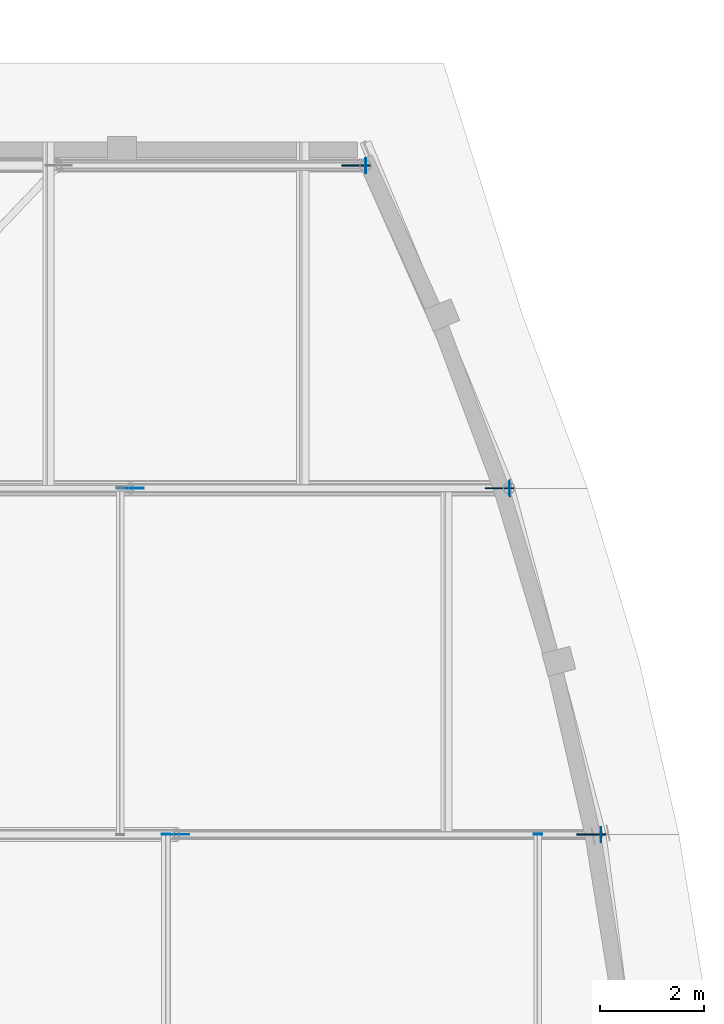
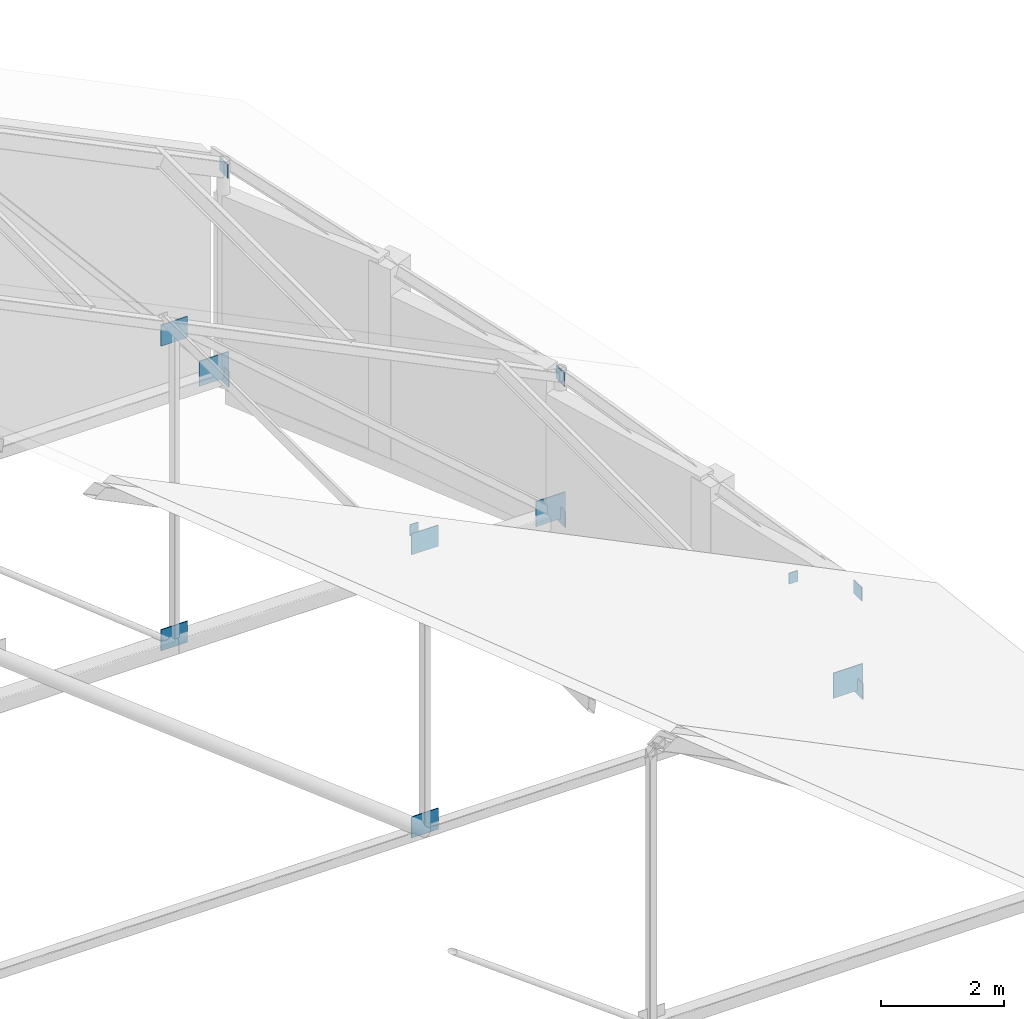
# One storey, part 58 of 78: 15 plates.
"""IFC4 building model written with IfcOpenShell, lengths in metres."""

from ifc_helpers import new_model, si_unit, direction, frame, origin, origin_2d, place, context, subcontext, project, spatial, rectangle, extrude, material, layer, layer_set, type_object, element, save


model = new_model("IFC4")

# Units and contexts
model_context = context("Model", 3, precision=1e-05, world=origin(), true_north=direction((0.0, 1.0)))
body_context = subcontext(model_context, "Body", "Model", "MODEL_VIEW")
ifc_project = project(units=[si_unit("LENGTHUNIT", "METRE"), si_unit("AREAUNIT", "SQUARE_METRE"), si_unit("VOLUMEUNIT", "CUBIC_METRE"), si_unit("PLANEANGLEUNIT", "RADIAN"), si_unit("MASSUNIT", "GRAM", prefix="KILO")], contexts=[model_context])

# Site, building, storey
site_placement = place(None, origin())
site = spatial("IfcSite", under=ifc_project, at=site_placement, CompositionType="ELEMENT")
building_placement = place(site_placement, origin())
building = spatial("IfcBuilding", under=site, at=building_placement, Name="Kelanivale Promenade Academy", CompositionType="ELEMENT")
storey_placement = place(building_placement, frame((0.0, 0.0, 16.199951171875)))
storey = spatial("IfcBuildingStorey", under=building, at=storey_placement, Name="L04", CompositionType="ELEMENT", Elevation=16.199951171875)

# Plates
ifc_material = material(Name="Steel S355", Category="steel")
ifc_layer_1 = layer(ifc_material, 0.01611328125)
ifc_layer_set_1 = layer_set([ifc_layer_1], Name="Steel S355")
plate_type_1 = type_object("IfcPlateType", Name="TN-CP16 Plate 16mm", PredefinedType="USERDEFINED", material=ifc_layer_set_1)
for number, where, z_axis, x_axis, name in (
    (1, (155.448974609375, 66.14306640625, 1.97509765625), (0.0, 0.0, 1.0), (1.0, 0.0, 0.0), "ROOF TRUSS TN-5 hollow-section end cap plate"),
    (2, (153.697021484375, 72.77099609375, 2.8310546875), (0.0, 0.0, 1.0), (1.0, 0.0, 0.0), "ROOF TRUSS TN-5 hollow-section end cap plate"),
    (3, (150.946044921875, 78.949951171875, 4.174072265625), (0.0, 0.0, 1.0), (1.0, 0.0, 0.0), "ROOF TRUSS TN-5 hollow-section end cap plate"),
):
    element("IfcPlate", number, at=place(storey_placement, frame(where, z_axis=z_axis, x_axis=x_axis)), inside=storey, type_object=plate_type_1, Name=name, ObjectType="CAP PLATE", PredefinedType="USERDEFINED", context=body_context, shape_type="SweptSolid", body=[
        extrude(rectangle(XDim=0.01611328125, YDim=0.27001953125, at=origin_2d()), origin(), (0.0, 0.0, 1.0), 0.27001953125),
    ])
for number, where, z_axis, x_axis, name in (
    (4, (147.1201171875, 66.15087890625, 6.1279296875), (0.0, 0.0, 1.0), (0.0, 1.0, 0.0), "ROOF TRUSS TN-4 hollow-section end cap plate"),
    (5, (154.240966796875, 66.15087890625, 2.67822265625), (0.0, 0.0, 1.0), (0.0, 1.0, 0.0), "ROOF TRUSS TN-4 hollow-section end cap plate"),
):
    element("IfcPlate", number, at=place(storey_placement, frame(where, z_axis=z_axis, x_axis=x_axis)), inside=storey, type_object=plate_type_1, Name=name, ObjectType="CAP PLATE", PredefinedType="USERDEFINED", context=body_context, shape_type="SweptSolid", body=[
        extrude(rectangle(XDim=0.01611328125, YDim=0.159912109375, at=origin_2d()), origin(), (0.0, 0.0, 1.0), 0.219970703125),
    ])
ifc_layer_2 = layer(ifc_material, 0.02001953125)
ifc_layer_set_2 = layer_set([ifc_layer_2], Name="Steel S355")
plate_type_2 = type_object("IfcPlateType", Name="TN-CP20 Plate 20mm", PredefinedType="USERDEFINED", material=ifc_layer_set_2)
for number, where, z_axis, x_axis, name in (
    (6, (155.450927734375, 66.14306640625, 0.0400390625), (0.0, 0.0, 1.0), (1.0, 0.0, 0.0), "ROOF TRUSS TN-5 hollow-section end cap plate"),
    (7, (153.698974609375, 72.77099609375, 0.0400390625), (0.0, 0.0, 1.0), (1.0, 0.0, 0.0), "ROOF TRUSS TN-5 hollow-section end cap plate"),
    (8, (150.947998046875, 78.949951171875, 0.0400390625), (0.0, 0.0, 1.0), (1.0, 0.0, 0.0), "ROOF TRUSS TN-5 hollow-section end cap plate"),
):
    element("IfcPlate", number, at=place(storey_placement, frame(where, z_axis=z_axis, x_axis=x_axis)), inside=storey, type_object=plate_type_2, Name=name, ObjectType="CAP PLATE", PredefinedType="USERDEFINED", context=body_context, shape_type="SweptSolid", body=[
        extrude(rectangle(XDim=0.02001953125, YDim=0.320068359375, at=origin_2d()), origin(), (0.0, 0.0, 1.0), 0.320068359375),
    ])
ifc_layer_3 = layer(ifc_material, 0.01611328125)
ifc_layer_set_3 = layer_set([ifc_layer_3], Name="Steel S355")
plate_type_3 = type_object("IfcPlateType", Name="TN-GP16 Plate 16mm", PredefinedType="USERDEFINED", material=ifc_layer_set_3)
for number, where, z_axis, x_axis, name in (
    (9, (147.320068359375, 66.14306640625, 0.130126953125), (0.0, 0.0, 1.0), (1.0, 0.0, 0.0), "ROOF TRUSS TN-3E welded node gusset plate"),
    (10, (147.320068359375, 66.14306640625, 5.74609375), (0.0, 0.0, 1.0), (1.0, 0.0, 0.0), "ROOF TRUSS TN-4E welded node gusset plate"),
    (11, (146.445068359375, 72.77099609375, 0.130126953125), (0.0, 0.0, 1.0), (1.0, 0.0, 0.0), "ROOF TRUSS TN-3E welded node gusset plate"),
    (12, (146.445068359375, 72.77099609375, 6.174072265625), (0.0, 0.0, 1.0), (1.0, 0.0, 0.0), "ROOF TRUSS TN-4E welded node gusset plate"),
):
    element("IfcPlate", number, at=place(storey_placement, frame(where, z_axis=z_axis, x_axis=x_axis)), inside=storey, type_object=plate_type_3, Name=name, ObjectType="GUSSET PLATE", PredefinedType="USERDEFINED", context=body_context, shape_type="SweptSolid", body=[
        extrude(rectangle(XDim=0.5, YDim=0.01611328125, at=origin_2d()), origin(), (0.0, 0.0, 1.0), 0.419921875),
    ])
ifc_layer_4 = layer(ifc_material, 0.02001953125)
ifc_layer_set_4 = layer_set([ifc_layer_4], Name="Steel S355")
plate_type_4 = type_object("IfcPlateType", Name="TN-GP20 Plate 20mm", PredefinedType="USERDEFINED", material=ifc_layer_set_4)
for number, where, z_axis, x_axis, name in (
    (13, (155.260986328125, 66.14306640625, 0.130126953125), (0.0, 0.0, 1.0), (1.0, 0.0, 0.0), "ROOF TRUSS TN-5 welded node gusset plate"),
    (14, (153.509033203125, 72.77099609375, 0.130126953125), (0.0, 0.0, 1.0), (1.0, 0.0, 0.0), "ROOF TRUSS TN-5 welded node gusset plate"),
    (15, (150.758056640625, 78.949951171875, 0.130126953125), (0.0, 0.0, 1.0), (1.0, 0.0, 0.0), "ROOF TRUSS TN-5 welded node gusset plate"),
):
    element("IfcPlate", number, at=place(storey_placement, frame(where, z_axis=z_axis, x_axis=x_axis)), inside=storey, type_object=plate_type_4, Name=name, ObjectType="GUSSET PLATE", PredefinedType="USERDEFINED", context=body_context, shape_type="SweptSolid", body=[
        extrude(rectangle(XDim=0.550048828125, YDim=0.02001953125, at=origin_2d()), origin(), (0.0, 0.0, 1.0), 0.5),
    ])

save(model, "model.ifc")
